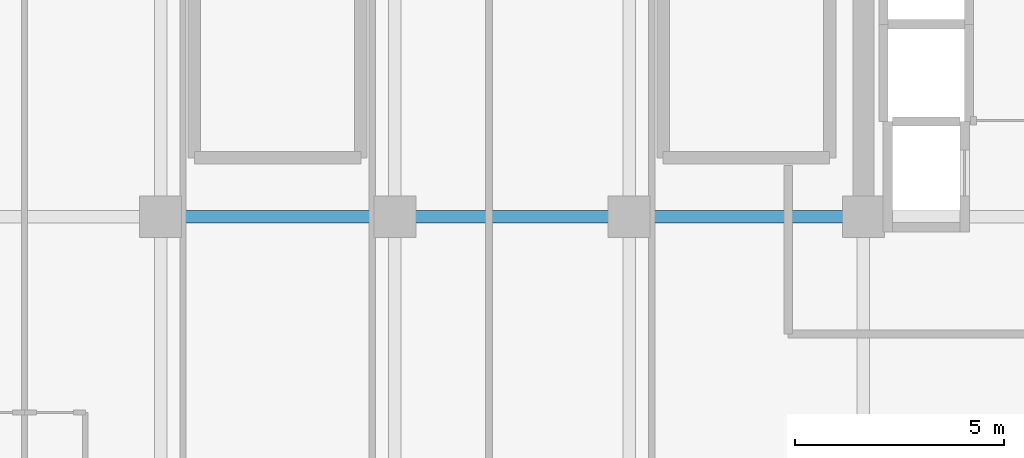
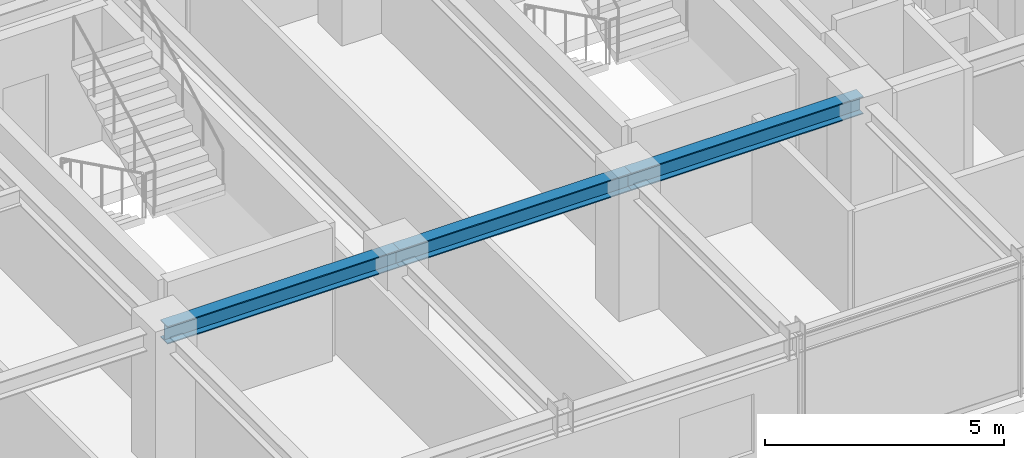
# One storey, part 7 of 34: 3 beams.
"""IFC4 building model written with IfcOpenShell, lengths in metres."""

from ifc_helpers import new_model, si_unit, direction, frame, origin, origin_2d, place, context, subcontext, project, spatial, i_section, extrude, source, transform, mapped, material, material_profile, profile_set, type_object, element, save


model = new_model("IFC4")

# Units and contexts
model_context = context("Model", 3, precision=1e-05, world=origin(), true_north=direction((0.0, 1.0)))
body_context = subcontext(model_context, "Body", "Model", "MODEL_VIEW")
ifc_project = project(units=[si_unit("LENGTHUNIT", "METRE"), si_unit("AREAUNIT", "SQUARE_METRE"), si_unit("VOLUMEUNIT", "CUBIC_METRE"), si_unit("PLANEANGLEUNIT", "RADIAN"), si_unit("MASSUNIT", "GRAM", prefix="KILO")], contexts=[model_context])

# Site, building, storey
site_placement = place(None, origin())
site = spatial("IfcSite", under=ifc_project, at=site_placement, CompositionType="ELEMENT")
building_placement = place(site_placement, origin())
building = spatial("IfcBuilding", under=site, at=building_placement, Name="Nahalor Promenade Grand Hotel", CompositionType="ELEMENT")
storey_placement = place(building_placement, frame((0.0, 0.0, 208.60009765625)))
storey = spatial("IfcBuildingStorey", under=building, at=storey_placement, Name="L53", CompositionType="ELEMENT", Elevation=208.60009765625)

# Beams
ifc_material = material(Name="Steel S355JR", Category="steel")
ifc_material_profile = material_profile(ifc_material, i_section(OverallWidth=0.3, OverallDepth=0.45, WebThickness=0.014, FlangeThickness=0.026, at=origin_2d()), Name="HEB 450")
ifc_profile_set = profile_set([ifc_material_profile], Name="Steel S355JR")
beam_type = type_object("IfcBeamType", Name="Beam-Girder-HEB450", PredefinedType="BEAM", material=ifc_profile_set)
shared_shape_1 = source(origin(), body_context, "Body", "SweptSolid", [
    extrude(i_section(OverallWidth=0.3, OverallDepth=0.45, WebThickness=0.014, FlangeThickness=0.026, at=origin_2d()), origin(), (0.0, 0.0, 1.0), 5.599853515625),
])
for number, where, z_axis, x_axis, name in (
    (1, (-8.39990234375, -17.0, 3.184814453125), (1.0, 0.0, 0.0), (0.0, 1.0, 0.0), "BM-L53-GX-0-2"),
    (2, (2.800048828125, -17.0, 3.184814453125), (1.0, 0.0, 0.0), (0.0, 1.0, 0.0), "BM-L53-GX-0-4"),
):
    element("IfcBeam", number, at=place(storey_placement, frame(where, z_axis=z_axis, x_axis=x_axis)), inside=storey, type_object=beam_type, Name=name, PredefinedType="BEAM", context=body_context, shape_type="MappedRepresentation", body=[
        mapped(shared_shape_1, transform((0.0, 0.0, 0.0), scale=1.0)),
    ])
shared_shape_2 = source(origin(), body_context, "Body", "SweptSolid", [
    extrude(i_section(OverallWidth=0.3, OverallDepth=0.45, WebThickness=0.014, FlangeThickness=0.026, at=origin_2d()), origin(), (0.0, 0.0, 1.0), 5.60009765625),
])
beam_placement = place(storey_placement, frame((-2.800048828125, -17.0, 3.184814453125), z_axis=(1.0, 0.0, 0.0), x_axis=(0.0, 1.0, 0.0)))
element("IfcBeam", 3, at=beam_placement, inside=storey, type_object=beam_type, Name="BM-L53-GX-0-3", PredefinedType="BEAM", context=body_context, shape_type="MappedRepresentation", body=[
    mapped(shared_shape_2, transform((0.0, 0.0, 0.0), scale=1.0)),
])

save(model, "model.ifc")
